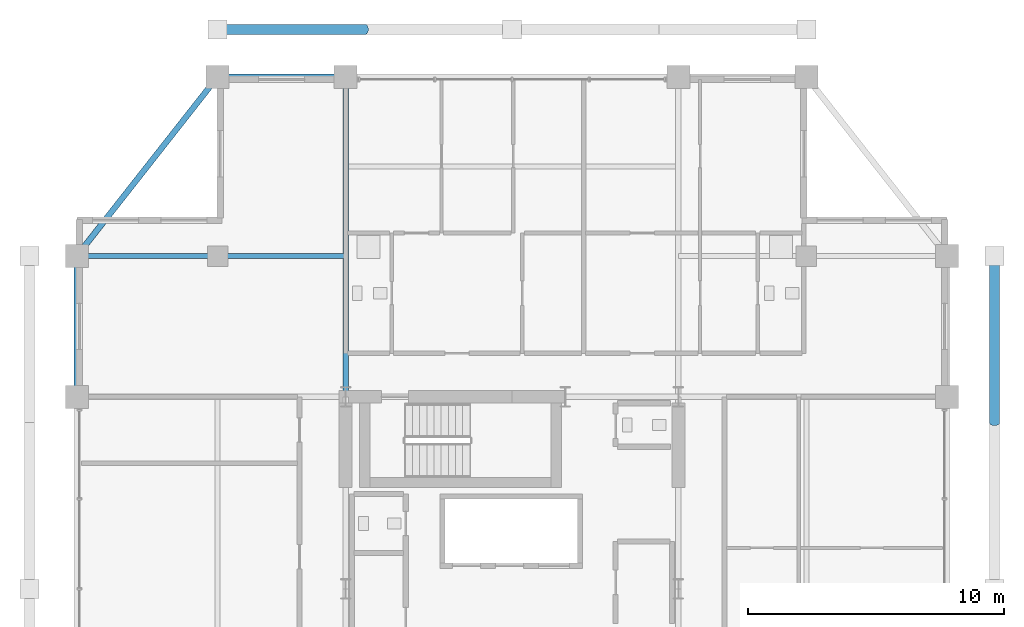
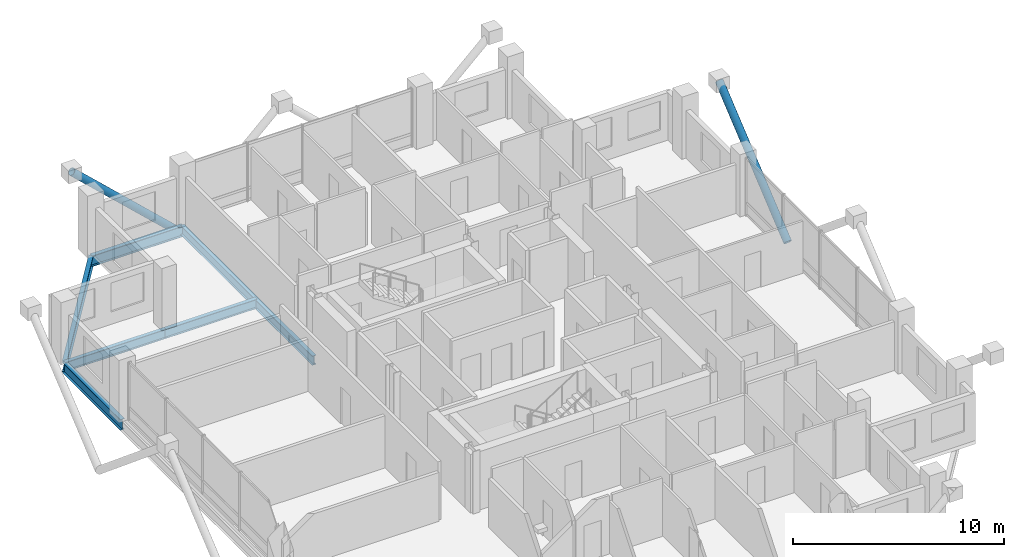
# One storey, part 13 of 23: 6 beams, 2 members.
"""IFC4 building model written with IfcOpenShell, lengths in metres."""

from ifc_helpers import new_model, si_unit, direction, frame, origin, origin_2d, place, context, subcontext, project, spatial, hollow_circle, i_section, extrude, material, material_profile, profile_set, type_object, element, save


model = new_model("IFC4")

# Units and contexts
model_context = context("Model", 3, precision=1e-05, world=origin(), true_north=direction((0.0, 1.0)))
body_context = subcontext(model_context, "Body", "Model", "MODEL_VIEW")
ifc_project = project(units=[si_unit("LENGTHUNIT", "METRE"), si_unit("AREAUNIT", "SQUARE_METRE"), si_unit("VOLUMEUNIT", "CUBIC_METRE"), si_unit("PLANEANGLEUNIT", "RADIAN"), si_unit("MASSUNIT", "GRAM", prefix="KILO")], contexts=[model_context])

# Site, building, storey
site_placement = place(None, origin())
site = spatial("IfcSite", under=ifc_project, at=site_placement, CompositionType="ELEMENT")
building_placement = place(site_placement, origin())
building = spatial("IfcBuilding", under=site, at=building_placement, Name="Barlavira Tower and Art Museum", CompositionType="ELEMENT")
storey_placement = place(building_placement, frame((0.0, 0.0, 236.699951171875)))
storey = spatial("IfcBuildingStorey", under=building, at=storey_placement, Name="L61", CompositionType="ELEMENT", Elevation=236.699951171875)

# Members
ifc_material = material(Name="Steel S355", Category="steel")
ifc_material_profile_1 = material_profile(ifc_material, hollow_circle(Radius=0.203125, WallThickness=0.01611328125, at=origin_2d()), Name="CHS 406.4x16.0")
ifc_profile_set_1 = profile_set([ifc_material_profile_1], Name="Steel S355")
member_type = type_object("IfcMemberType", Name="Pale-Metal Exoskeleton Diagrid Tube CHS 406x16 Steel S355", PredefinedType="BRACE", material=ifc_profile_set_1)
member_1_placement = place(storey_placement, frame((-5.75, 21.85009765625, -1.919921875), z_axis=(-0.728950095515, 0.0, 0.684566839869), x_axis=(0.0, -1.0, 0.0)))
element("IfcMember", 1, at=member_1_placement, inside=storey, type_object=member_type, Name="L61 Exoskeleton Diagrid Tube N", PredefinedType="BRACE", context=body_context, shape_type="SweptSolid", body=[
    extrude(hollow_circle(Radius=0.203125, WallThickness=0.01611328125, at=origin_2d()), origin(), (0.0, 0.0, 1.0), 7.887939453125),
])
member_2_placement = place(storey_placement, frame((18.85009765625, 6.5, -1.919921875), z_axis=(0.0, 0.769196053329, 0.639012857104), x_axis=(-1.0, 0.0, 0.0)))
element("IfcMember", 2, at=member_2_placement, inside=storey, type_object=member_type, Name="L61 Exoskeleton Diagrid Tube E", PredefinedType="BRACE", context=body_context, shape_type="SweptSolid", body=[
    extrude(hollow_circle(Radius=0.203125, WallThickness=0.01611328125, at=origin_2d()), origin(), (0.0, 0.0, 1.0), 8.450439453125),
])

# Beams
ifc_material_profile_2 = material_profile(ifc_material, i_section(OverallWidth=0.22998046875, OverallDepth=0.616943359375, WebThickness=0.01318359375, FlangeThickness=0.022216796875, at=origin_2d()), Name="W610x140.0")
ifc_profile_set_2 = profile_set([ifc_material_profile_2], Name="Steel S355")
beam_type_1 = type_object("IfcBeamType", Name="Upper Shaft Spandrel Edge Beam W610x140 Steel S355", PredefinedType="SPANDREL", material=ifc_profile_set_2)
beam_1_placement = place(storey_placement, frame((-11.5, 20.0, -0.528564453125), z_axis=(1.0, 0.0, 0.0), x_axis=(0.0, 1.0, 0.0)))
element("IfcBeam", 3, at=beam_1_placement, inside=storey, type_object=beam_type_1, Name="L61 Spandrel 11", PredefinedType="SPANDREL", context=body_context, shape_type="SweptSolid", body=[
    extrude(i_section(OverallWidth=0.22998046875, OverallDepth=0.616943359375, WebThickness=0.01318359375, FlangeThickness=0.022216796875, at=origin_2d()), origin(), (0.0, 0.0, 1.0), 5.0),
])
beam_2_placement = place(storey_placement, frame((-11.5, 20.0, -0.528564453125), z_axis=(-0.617821551932, -0.786318338822, 0.0), x_axis=(0.786318338822, -0.617821551932, 0.0)))
element("IfcBeam", 4, at=beam_2_placement, inside=storey, type_object=beam_type_1, Name="L61 Spandrel 12", PredefinedType="SPANDREL", context=body_context, shape_type="SweptSolid", body=[
    extrude(i_section(OverallWidth=0.22998046875, OverallDepth=0.616943359375, WebThickness=0.01318359375, FlangeThickness=0.022216796875, at=origin_2d()), origin(), (0.0, 0.0, 1.0), 8.90234375),
])
beam_3_placement = place(storey_placement, frame((-17.0, 7.5, -0.528564453125), z_axis=(0.0, 1.0, 0.0), x_axis=(-1.0, 0.0, 0.0)))
element("IfcBeam", 5, at=beam_3_placement, inside=storey, type_object=beam_type_1, Name="L61 Spandrel 13", PredefinedType="SPANDREL", context=body_context, shape_type="SweptSolid", body=[
    extrude(i_section(OverallWidth=0.22998046875, OverallDepth=0.616943359375, WebThickness=0.01318359375, FlangeThickness=0.022216796875, at=origin_2d()), origin(), (0.0, 0.0, 1.0), 5.5),
])
ifc_material_profile_3 = material_profile(ifc_material, i_section(OverallWidth=0.2109375, OverallDepth=0.5390625, WebThickness=0.01171875, FlangeThickness=0.018798828125, at=origin_2d()), Name="W530x109.0")
ifc_profile_set_3 = profile_set([ifc_material_profile_3], Name="Steel S355")
beam_type_2 = type_object("IfcBeamType", Name="Zone 3-4 Primary Floor Girder W530x109 Steel S355", PredefinedType="BEAM", material=ifc_profile_set_3)
beam_4_placement = place(storey_placement, frame((-6.5, 7.5, -0.489501953125), z_axis=(0.0, 1.0, 0.0), x_axis=(-1.0, 0.0, 0.0)))
element("IfcBeam", 6, at=beam_4_placement, inside=storey, type_object=beam_type_2, Name="L61 Girder R-N1", PredefinedType="BEAM", context=body_context, shape_type="SweptSolid", body=[
    extrude(i_section(OverallWidth=0.2109375, OverallDepth=0.5390625, WebThickness=0.01171875, FlangeThickness=0.018798828125, at=origin_2d()), origin(), (0.0, 0.0, 1.0), 12.5),
])
beam_5_placement = place(storey_placement, frame((-17.0, 13.0, -0.489501953125), z_axis=(1.0, 0.0, 0.0), x_axis=(0.0, 1.0, 0.0)))
element("IfcBeam", 7, at=beam_5_placement, inside=storey, type_object=beam_type_2, Name="L61 Girder I-N1", PredefinedType="BEAM", context=body_context, shape_type="SweptSolid", body=[
    extrude(i_section(OverallWidth=0.2109375, OverallDepth=0.5390625, WebThickness=0.01171875, FlangeThickness=0.018798828125, at=origin_2d()), origin(), (0.0, 0.0, 1.0), 5.5),
])
beam_6_placement = place(storey_placement, frame((-11.5, 13.0, -0.489501953125), z_axis=(1.0, 0.0, 0.0), x_axis=(0.0, 1.0, 0.0)))
element("IfcBeam", 8, at=beam_6_placement, inside=storey, type_object=beam_type_2, Name="L61 Girder I-N2", PredefinedType="BEAM", context=body_context, shape_type="SweptSolid", body=[
    extrude(i_section(OverallWidth=0.2109375, OverallDepth=0.5390625, WebThickness=0.01171875, FlangeThickness=0.018798828125, at=origin_2d()), origin(), (0.0, 0.0, 1.0), 5.0),
])

save(model, "model.ifc")
